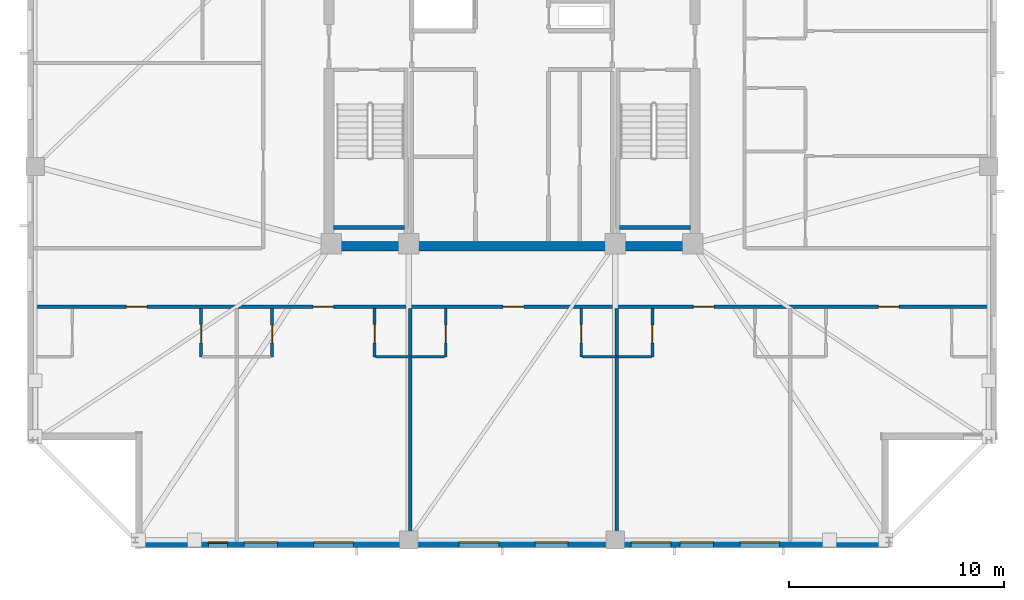
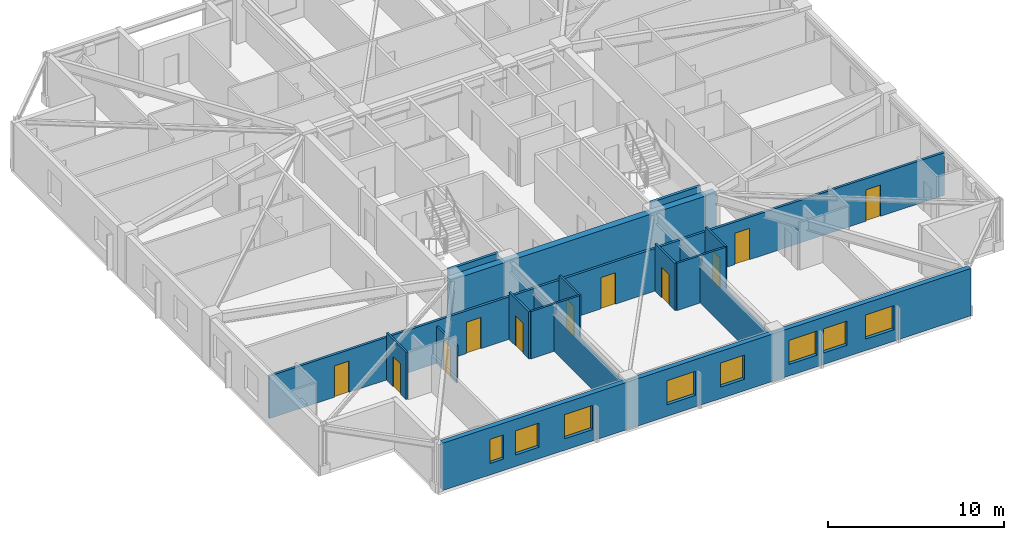
# One storey, part 7 of 17: 17 walls, 11 doors, 8 windows, 19 openings.
"""IFC4 building model written with IfcOpenShell, lengths in metres."""

from ifc_helpers import new_model, si_unit, direction, frame, frame_2d, origin, place, context, subcontext, project, spatial, rectangle, extrude, material, layer, layer_set, type_object, element, fill, save


model = new_model("IFC4")

# Units and contexts
model_context = context("Model", 3, precision=1e-05, world=origin(), true_north=direction((0.0, 1.0)))
body_context = subcontext(model_context, "Body", "Model", "MODEL_VIEW")
ifc_project = project(units=[si_unit("LENGTHUNIT", "METRE"), si_unit("AREAUNIT", "SQUARE_METRE"), si_unit("VOLUMEUNIT", "CUBIC_METRE"), si_unit("PLANEANGLEUNIT", "RADIAN"), si_unit("MASSUNIT", "GRAM", prefix="KILO")], contexts=[model_context])

# Site, building, storey
site_placement = place(None, origin())
site = spatial("IfcSite", under=ifc_project, at=site_placement, CompositionType="ELEMENT")
building_placement = place(site_placement, origin())
building = spatial("IfcBuilding", under=site, at=building_placement, Name="Cairnveth Concourse Tower", CompositionType="ELEMENT")
storey_placement = place(building_placement, frame((0.0, 0.0, 216.5)))
storey = spatial("IfcBuildingStorey", under=building, at=storey_placement, Name="L59", CompositionType="ELEMENT", Elevation=216.5)

# Wall, openings, doors
ifc_material_1 = material(Name="Gypsum Plasterboard Partition", Category="gypsum")
ifc_layer_1 = layer(ifc_material_1, 0.159912109375)
ifc_layer_set_1 = layer_set([ifc_layer_1], Name="Gypsum Plasterboard Partition")
wall_type_1 = type_object("IfcWallType", Name="ACOUSTIC PARTY WALL 180", PredefinedType="PARTITIONING", material=ifc_layer_set_1)
wall_1_placement = place(storey_placement, frame((29.804931640625, 27.68994140625, 0.0), z_axis=(0.0, 0.0, 1.0), x_axis=(1.0, 0.0, 0.0)))
wall_1 = element("IfcWall", 1, at=wall_1_placement, inside=storey, type_object=wall_type_1, Name="Interior Wall IW-L59-036", PredefinedType="PARTITIONING", context=body_context, shape_type="SweptSolid", body=[
    extrude(rectangle(XDim=44.39013671875, YDim=0.159912109375, at=frame_2d((22.195068359375, 0.0))), origin(), (0.0, 0.0, 1.0), 2.9580078125),
])
opening_1_placement = place(wall_1_placement, frame((4.278564453125, 0.0, 0.0)))
opening_1 = element("IfcOpeningElement", 2, at=opening_1_placement, cuts=wall_1, Name="Opening ID10", PredefinedType="OPENING", context=body_context, shape_type="SweptSolid", body=[
    extrude(rectangle(XDim=0.9599609375, YDim=2.179931640625, at=frame_2d((0.47998046875, 1.08984375))), frame((0.0, 0.08984375, 0.0), z_axis=(0.0, -1.0, 0.0), x_axis=(1.0, 0.0, 0.0)), (0.0, 0.0, 1.0), 0.179931640625),
])
opening_2_placement = place(wall_1_placement, frame((12.952880859375, 0.0, 0.0)))
opening_2 = element("IfcOpeningElement", 3, at=opening_2_placement, cuts=wall_1, Name="Opening ID10", PredefinedType="OPENING", context=body_context, shape_type="SweptSolid", body=[
    extrude(rectangle(XDim=0.9599609375, YDim=2.179931640625, at=frame_2d((0.47998046875, 1.08984375))), frame((0.0, 0.08984375, 0.0), z_axis=(0.0, -1.0, 0.0), x_axis=(1.0, 0.0, 0.0)), (0.0, 0.0, 1.0), 0.179931640625),
])
opening_3_placement = place(wall_1_placement, frame((21.784912109375, 0.0, 0.0)))
opening_3 = element("IfcOpeningElement", 4, at=opening_3_placement, cuts=wall_1, Name="Opening ID10", PredefinedType="OPENING", context=body_context, shape_type="SweptSolid", body=[
    extrude(rectangle(XDim=0.9599609375, YDim=2.179931640625, at=frame_2d((0.47998046875, 1.08984375))), frame((0.0, 0.08984375, 0.0), z_axis=(0.0, -1.0, 0.0), x_axis=(1.0, 0.0, 0.0)), (0.0, 0.0, 1.0), 0.179931640625),
])
opening_4_placement = place(wall_1_placement, frame((30.616943359375, 0.0, 0.0)))
opening_4 = element("IfcOpeningElement", 5, at=opening_4_placement, cuts=wall_1, Name="Opening ID10", PredefinedType="OPENING", context=body_context, shape_type="SweptSolid", body=[
    extrude(rectangle(XDim=0.9599609375, YDim=2.179931640625, at=frame_2d((0.47998046875, 1.08984375))), frame((0.0, 0.08984375, 0.0), z_axis=(0.0, -1.0, 0.0), x_axis=(1.0, 0.0, 0.0)), (0.0, 0.0, 1.0), 0.179931640625),
])
opening_5_placement = place(wall_1_placement, frame((39.221435546875, 0.0, 0.0)))
opening_5 = element("IfcOpeningElement", 6, at=opening_5_placement, cuts=wall_1, Name="Opening ID10", PredefinedType="OPENING", context=body_context, shape_type="SweptSolid", body=[
    extrude(rectangle(XDim=0.9599609375, YDim=2.179931640625, at=frame_2d((0.47998046875, 1.08984375))), frame((0.0, 0.08984375, 0.0), z_axis=(0.0, -1.0, 0.0), x_axis=(1.0, 0.0, 0.0)), (0.0, 0.0, 1.0), 0.179931640625),
])
ifc_material_2 = material(Name="Solid Core Hardwood Timber Leaf", Category="wood")
door_type_1 = type_object("IfcDoorType", Name="FLAT ENTRANCE DOOR 960X2150", OperationType="NOTDEFINED", PredefinedType="DOOR", material=ifc_material_2)
door_1_placement = place(opening_1_placement, origin())
door_1 = element("IfcDoor", 7, at=door_1_placement, inside=storey, type_object=door_type_1, Name="Studio L59STS1 Entrance Door", OperationType="SINGLE_SWING_LEFT", OverallHeight=2.179931640625, OverallWidth=0.9599609375, PredefinedType="DOOR", context=body_context, shape_type="SweptSolid", body=[
    extrude(rectangle(XDim=0.9599609375, YDim=2.179931640625, at=frame_2d((0.47998046875, 1.08984375))), frame((0.0, 0.02490234375, 0.0), z_axis=(0.0, -1.0, 0.0), x_axis=(1.0, 0.0, 0.0)), (0.0, 0.0, 1.0), 0.050048828125),
])
fill(opening_1, door_1)
door_2_placement = place(opening_2_placement, origin())
door_2 = element("IfcDoor", 8, at=door_2_placement, inside=storey, type_object=door_type_1, Name="Studio L59STS2 Entrance Door", OperationType="SINGLE_SWING_RIGHT", OverallHeight=2.179931640625, OverallWidth=0.9599609375, PredefinedType="DOOR", context=body_context, shape_type="SweptSolid", body=[
    extrude(rectangle(XDim=0.9599609375, YDim=2.179931640625, at=frame_2d((0.47998046875, 1.08984375))), frame((0.0, 0.02490234375, 0.0), z_axis=(0.0, -1.0, 0.0), x_axis=(1.0, 0.0, 0.0)), (0.0, 0.0, 1.0), 0.050048828125),
])
fill(opening_2, door_2)
door_3_placement = place(opening_3_placement, origin())
door_3 = element("IfcDoor", 9, at=door_3_placement, inside=storey, type_object=door_type_1, Name="Studio L59STS3 Entrance Door", OperationType="SINGLE_SWING_LEFT", OverallHeight=2.179931640625, OverallWidth=0.9599609375, PredefinedType="DOOR", context=body_context, shape_type="SweptSolid", body=[
    extrude(rectangle(XDim=0.9599609375, YDim=2.179931640625, at=frame_2d((0.47998046875, 1.08984375))), frame((0.0, 0.02490234375, 0.0), z_axis=(0.0, -1.0, 0.0), x_axis=(1.0, 0.0, 0.0)), (0.0, 0.0, 1.0), 0.050048828125),
])
fill(opening_3, door_3)
door_4_placement = place(opening_4_placement, origin())
door_4 = element("IfcDoor", 10, at=door_4_placement, inside=storey, type_object=door_type_1, Name="Studio L59STS4 Entrance Door", OperationType="SINGLE_SWING_RIGHT", OverallHeight=2.179931640625, OverallWidth=0.9599609375, PredefinedType="DOOR", context=body_context, shape_type="SweptSolid", body=[
    extrude(rectangle(XDim=0.9599609375, YDim=2.179931640625, at=frame_2d((0.47998046875, 1.08984375))), frame((0.0, 0.02490234375, 0.0), z_axis=(0.0, -1.0, 0.0), x_axis=(1.0, 0.0, 0.0)), (0.0, 0.0, 1.0), 0.050048828125),
])
fill(opening_4, door_4)
door_5_placement = place(opening_5_placement, origin())
door_5 = element("IfcDoor", 11, at=door_5_placement, inside=storey, type_object=door_type_1, Name="Studio L59STS5 Entrance Door", OperationType="SINGLE_SWING_LEFT", OverallHeight=2.179931640625, OverallWidth=0.9599609375, PredefinedType="DOOR", context=body_context, shape_type="SweptSolid", body=[
    extrude(rectangle(XDim=0.9599609375, YDim=2.179931640625, at=frame_2d((0.47998046875, 1.08984375))), frame((0.0, 0.02490234375, 0.0), z_axis=(0.0, -1.0, 0.0), x_axis=(1.0, 0.0, 0.0)), (0.0, 0.0, 1.0), 0.050048828125),
])
fill(opening_5, door_5)

# Walls
for number, where, z_axis, x_axis, name in (
    (12, (47.26904296875, 16.804931640625, 0.0), (0.0, 0.0, 1.0), (0.0, 1.0, 0.0), "Interior Wall IW-L59-053"),
    (13, (56.87109375, 16.804931640625, 0.0), (0.0, 0.0, 1.0), (0.0, 1.0, 0.0), "Interior Wall IW-L59-058"),
):
    element("IfcWall", number, at=place(storey_placement, frame(where, z_axis=z_axis, x_axis=x_axis)), inside=storey, type_object=wall_type_1, Name=name, PredefinedType="PARTITIONING", context=body_context, shape_type="SweptSolid", body=[
        extrude(rectangle(XDim=10.80517578125, YDim=0.159912109375, at=frame_2d((5.402587890625, 0.0))), origin(), (0.0, 0.0, 1.0), 2.572998046875),
    ])
ifc_material_3 = material(Name="Concrete N65 (65 MPa)", Category="concrete")
ifc_layer_2 = layer(ifc_material_3, 0.449951171875)
ifc_layer_set_2 = layer_set([ifc_layer_2], Name="Concrete N65 (65 MPa)")
wall_type_2 = type_object("IfcWallType", Name="CORE SHEAR WALL 450", PredefinedType="SHEAR", material=ifc_layer_set_2)
wall_2_placement = place(storey_placement, frame((43.27490234375, 30.5, 0.0), z_axis=(0.0, 0.0, 1.0), x_axis=(1.0, 0.0, 0.0)))
element("IfcWall", 14, at=wall_2_placement, inside=storey, type_object=wall_type_2, Name="Core South Shear Wall L59", PredefinedType="SHEAR", context=body_context, shape_type="SweptSolid", body=[
    extrude(rectangle(XDim=17.4501953125, YDim=0.449951171875, at=frame_2d((8.72509765625, 0.0))), origin(), (0.0, 0.0, 1.0), 3.2900390625),
])
ifc_material_4 = material(Name="Concrete N50 (50 MPa)", Category="concrete")
ifc_layer_3 = layer(ifc_material_4, 0.179931640625)
ifc_layer_set_3 = layer_set([ifc_layer_3], Name="Concrete N50 (50 MPa)")
wall_type_3 = type_object("IfcWallType", Name="FIRE SHAFT WALL 180", PredefinedType="SOLIDWALL", material=ifc_layer_set_3)
for number, where, z_axis, x_axis, name in (
    (15, (43.715087890625, 31.360107421875, 0.0), (0.0, 0.0, 1.0), (1.0, 0.0, 0.0), "Stair ST-1 Shaft Wall FAR L59"),
    (16, (57.0048828125, 31.360107421875, 0.0), (0.0, 0.0, 1.0), (1.0, 0.0, 0.0), "Stair ST-2 Shaft Wall FAR L59"),
):
    element("IfcWall", number, at=place(storey_placement, frame(where, z_axis=z_axis, x_axis=x_axis)), inside=storey, type_object=wall_type_3, Name=name, PredefinedType="SOLIDWALL", context=body_context, shape_type="SweptSolid", body=[
        extrude(rectangle(XDim=3.280029296875, YDim=0.179931640625, at=frame_2d((1.64013671875, 0.0))), origin(), (0.0, 0.0, 1.0), 3.2900390625),
    ])

# Wall, opening, door
ifc_layer_4 = layer(ifc_material_1, 0.1298828125)
ifc_layer_set_4 = layer_set([ifc_layer_4], Name="Gypsum Plasterboard Partition")
wall_type_4 = type_object("IfcWallType", Name="WET AREA PARTITION 140", PredefinedType="PLUMBINGWALL", material=ifc_layer_set_4)
wall_3_placement = place(storey_placement, frame((37.556884765625, 25.360107421875, 0.0), z_axis=(0.0, 0.0, 1.0), x_axis=(0.0, 1.0, 0.0)))
wall_3 = element("IfcWall", 17, at=wall_3_placement, inside=storey, type_object=wall_type_4, Name="Interior Wall IW-L59-046", PredefinedType="PLUMBINGWALL", context=body_context, shape_type="SweptSolid", body=[
    extrude(rectangle(XDim=2.25, YDim=0.1298828125, at=frame_2d((1.125, 0.0))), origin(), (0.0, 0.0, 1.0), 3.2900390625),
])
opening_6_placement = place(wall_3_placement, frame((0.64990234375, 0.0, 0.0)))
opening_6 = element("IfcOpeningElement", 18, at=opening_6_placement, cuts=wall_3, Name="Opening ID20", PredefinedType="OPENING", context=body_context, shape_type="SweptSolid", body=[
    extrude(rectangle(XDim=0.85009765625, YDim=2.10009765625, at=frame_2d((0.425048828125, 1.050048828125))), frame((0.0, 0.074951171875, 0.0), z_axis=(0.0, -1.0, 0.0), x_axis=(1.0, 0.0, 0.0)), (0.0, 0.0, 1.0), 0.14990234375),
])
door_type_2 = type_object("IfcDoorType", Name="INTERIOR SINGLE DOOR 850X2100", OperationType="NOTDEFINED", PredefinedType="DOOR", material=ifc_material_2)
door_6_placement = place(opening_6_placement, origin())
door_6 = element("IfcDoor", 19, at=door_6_placement, inside=storey, type_object=door_type_2, Name="L59STS1 Kitchen Door", OperationType="SINGLE_SWING_RIGHT", OverallHeight=2.10009765625, OverallWidth=0.85009765625, PredefinedType="DOOR", context=body_context, shape_type="SweptSolid", body=[
    extrude(rectangle(XDim=0.85009765625, YDim=2.10009765625, at=frame_2d((0.425048828125, 1.050048828125))), frame((0.0, 0.02490234375, 0.0), z_axis=(0.0, -1.0, 0.0), x_axis=(1.0, 0.0, 0.0)), (0.0, 0.0, 1.0), 0.050048828125),
])
fill(opening_6, door_6)

wall_4_placement = place(storey_placement, frame((40.85693359375, 25.360107421875, 0.0), z_axis=(0.0, 0.0, 1.0), x_axis=(0.0, 1.0, 0.0)))
wall_4 = element("IfcWall", 20, at=wall_4_placement, inside=storey, type_object=wall_type_4, Name="Interior Wall IW-L59-049", PredefinedType="PLUMBINGWALL", context=body_context, shape_type="SweptSolid", body=[
    extrude(rectangle(XDim=2.25, YDim=0.1298828125, at=frame_2d((1.125, 0.0))), origin(), (0.0, 0.0, 1.0), 2.572998046875),
])
opening_7_placement = place(wall_4_placement, frame((0.64990234375, 0.0, 0.0)))
opening_7 = element("IfcOpeningElement", 21, at=opening_7_placement, cuts=wall_4, Name="Opening ID22", PredefinedType="OPENING", context=body_context, shape_type="SweptSolid", body=[
    extrude(rectangle(XDim=0.820068359375, YDim=2.10009765625, at=frame_2d((0.41015625, 1.050048828125))), frame((0.0, 0.074951171875, 0.0), z_axis=(0.0, -1.0, 0.0), x_axis=(1.0, 0.0, 0.0)), (0.0, 0.0, 1.0), 0.14990234375),
])
door_type_3 = type_object("IfcDoorType", Name="INTERIOR WC DOOR 820X2100", OperationType="NOTDEFINED", PredefinedType="DOOR", material=ifc_material_2)
door_7_placement = place(opening_7_placement, origin())
door_7 = element("IfcDoor", 22, at=door_7_placement, inside=storey, type_object=door_type_3, Name="L59STS2 Bathroom Door", OperationType="SINGLE_SWING_RIGHT", OverallHeight=2.10009765625, OverallWidth=0.820068359375, PredefinedType="DOOR", context=body_context, shape_type="SweptSolid", body=[
    extrude(rectangle(XDim=0.820068359375, YDim=2.10009765625, at=frame_2d((0.41015625, 1.050048828125))), frame((0.0, 0.02490234375, 0.0), z_axis=(0.0, -1.0, 0.0), x_axis=(1.0, 0.0, 0.0)), (0.0, 0.0, 1.0), 0.050048828125),
])
fill(opening_7, door_7)

wall_5_placement = place(storey_placement, frame((45.618896484375, 25.360107421875, 0.0), z_axis=(0.0, 0.0, 1.0), x_axis=(0.0, 1.0, 0.0)))
wall_5 = element("IfcWall", 23, at=wall_5_placement, inside=storey, type_object=wall_type_4, Name="Interior Wall IW-L59-051", PredefinedType="PLUMBINGWALL", context=body_context, shape_type="SweptSolid", body=[
    extrude(rectangle(XDim=2.25, YDim=0.1298828125, at=frame_2d((1.125, 0.0))), origin(), (0.0, 0.0, 1.0), 3.2900390625),
])
opening_8_placement = place(wall_5_placement, frame((0.64990234375, 0.0, 0.0)))
opening_8 = element("IfcOpeningElement", 24, at=opening_8_placement, cuts=wall_5, Name="Opening ID20", PredefinedType="OPENING", context=body_context, shape_type="SweptSolid", body=[
    extrude(rectangle(XDim=0.85009765625, YDim=2.10009765625, at=frame_2d((0.425048828125, 1.050048828125))), frame((0.0, 0.074951171875, 0.0), z_axis=(0.0, -1.0, 0.0), x_axis=(1.0, 0.0, 0.0)), (0.0, 0.0, 1.0), 0.14990234375),
])
door_8_placement = place(opening_8_placement, origin())
door_8 = element("IfcDoor", 25, at=door_8_placement, inside=storey, type_object=door_type_2, Name="L59STS2 Kitchen Door", OperationType="SINGLE_SWING_LEFT", OverallHeight=2.10009765625, OverallWidth=0.85009765625, PredefinedType="DOOR", context=body_context, shape_type="SweptSolid", body=[
    extrude(rectangle(XDim=0.85009765625, YDim=2.10009765625, at=frame_2d((0.425048828125, 1.050048828125))), frame((0.0, 0.02490234375, 0.0), z_axis=(0.0, -1.0, 0.0), x_axis=(1.0, 0.0, 0.0)), (0.0, 0.0, 1.0), 0.050048828125),
])
fill(opening_8, door_8)

# Wall
wall_6_placement = place(storey_placement, frame((45.6689453125, 25.360107421875, 0.0), z_axis=(0.0, 0.0, 1.0), x_axis=(1.0, 0.0, 0.0)))
element("IfcWall", 26, at=wall_6_placement, inside=storey, type_object=wall_type_4, Name="Interior Wall IW-L59-052", PredefinedType="PLUMBINGWALL", context=body_context, shape_type="SweptSolid", body=[
    extrude(rectangle(XDim=1.60009765625, YDim=0.1298828125, at=frame_2d((0.800048828125, 0.0))), origin(), (0.0, 0.0, 1.0), 3.2900390625),
])

# Wall, opening, door
wall_7_placement = place(storey_placement, frame((48.9189453125, 25.360107421875, 0.0), z_axis=(0.0, 0.0, 1.0), x_axis=(0.0, 1.0, 0.0)))
wall_7 = element("IfcWall", 27, at=wall_7_placement, inside=storey, type_object=wall_type_4, Name="Interior Wall IW-L59-054", PredefinedType="PLUMBINGWALL", context=body_context, shape_type="SweptSolid", body=[
    extrude(rectangle(XDim=2.25, YDim=0.1298828125, at=frame_2d((1.125, 0.0))), origin(), (0.0, 0.0, 1.0), 3.2900390625),
])
opening_9_placement = place(wall_7_placement, frame((0.64990234375, 0.0, 0.0)))
opening_9 = element("IfcOpeningElement", 28, at=opening_9_placement, cuts=wall_7, Name="Opening ID22", PredefinedType="OPENING", context=body_context, shape_type="SweptSolid", body=[
    extrude(rectangle(XDim=0.820068359375, YDim=2.10009765625, at=frame_2d((0.41015625, 1.050048828125))), frame((0.0, 0.074951171875, 0.0), z_axis=(0.0, -1.0, 0.0), x_axis=(1.0, 0.0, 0.0)), (0.0, 0.0, 1.0), 0.14990234375),
])
door_9_placement = place(opening_9_placement, origin())
door_9 = element("IfcDoor", 29, at=door_9_placement, inside=storey, type_object=door_type_3, Name="L59STS3 Bathroom Door", OperationType="SINGLE_SWING_LEFT", OverallHeight=2.10009765625, OverallWidth=0.820068359375, PredefinedType="DOOR", context=body_context, shape_type="SweptSolid", body=[
    extrude(rectangle(XDim=0.820068359375, YDim=2.10009765625, at=frame_2d((0.41015625, 1.050048828125))), frame((0.0, 0.02490234375, 0.0), z_axis=(0.0, -1.0, 0.0), x_axis=(1.0, 0.0, 0.0)), (0.0, 0.0, 1.0), 0.050048828125),
])
fill(opening_9, door_9)

# Wall
wall_8_placement = place(storey_placement, frame((47.333984375, 25.360107421875, 0.0), z_axis=(0.0, 0.0, 1.0), x_axis=(1.0, 0.0, 0.0)))
element("IfcWall", 30, at=wall_8_placement, inside=storey, type_object=wall_type_4, Name="Interior Wall IW-L59-055", PredefinedType="PLUMBINGWALL", context=body_context, shape_type="SweptSolid", body=[
    extrude(rectangle(XDim=1.534912109375, YDim=0.1298828125, at=frame_2d((0.767578125, 0.0))), origin(), (0.0, 0.0, 1.0), 3.2900390625),
])

# Wall, opening, door
wall_9_placement = place(storey_placement, frame((55.220947265625, 25.360107421875, 0.0), z_axis=(0.0, 0.0, 1.0), x_axis=(0.0, 1.0, 0.0)))
wall_9 = element("IfcWall", 31, at=wall_9_placement, inside=storey, type_object=wall_type_4, Name="Interior Wall IW-L59-056", PredefinedType="PLUMBINGWALL", context=body_context, shape_type="SweptSolid", body=[
    extrude(rectangle(XDim=2.25, YDim=0.1298828125, at=frame_2d((1.125, 0.0))), origin(), (0.0, 0.0, 1.0), 3.2900390625),
])
opening_10_placement = place(wall_9_placement, frame((0.64990234375, 0.0, 0.0)))
opening_10 = element("IfcOpeningElement", 32, at=opening_10_placement, cuts=wall_9, Name="Opening ID20", PredefinedType="OPENING", context=body_context, shape_type="SweptSolid", body=[
    extrude(rectangle(XDim=0.85009765625, YDim=2.10009765625, at=frame_2d((0.425048828125, 1.050048828125))), frame((0.0, 0.074951171875, 0.0), z_axis=(0.0, -1.0, 0.0), x_axis=(1.0, 0.0, 0.0)), (0.0, 0.0, 1.0), 0.14990234375),
])
door_10_placement = place(opening_10_placement, origin())
door_10 = element("IfcDoor", 33, at=door_10_placement, inside=storey, type_object=door_type_2, Name="L59STS3 Kitchen Door", OperationType="SINGLE_SWING_RIGHT", OverallHeight=2.10009765625, OverallWidth=0.85009765625, PredefinedType="DOOR", context=body_context, shape_type="SweptSolid", body=[
    extrude(rectangle(XDim=0.85009765625, YDim=2.10009765625, at=frame_2d((0.425048828125, 1.050048828125))), frame((0.0, 0.02490234375, 0.0), z_axis=(0.0, -1.0, 0.0), x_axis=(1.0, 0.0, 0.0)), (0.0, 0.0, 1.0), 0.050048828125),
])
fill(opening_10, door_10)

# Wall
wall_10_placement = place(storey_placement, frame((55.27099609375, 25.360107421875, 0.0), z_axis=(0.0, 0.0, 1.0), x_axis=(1.0, 0.0, 0.0)))
element("IfcWall", 34, at=wall_10_placement, inside=storey, type_object=wall_type_4, Name="Interior Wall IW-L59-057", PredefinedType="PLUMBINGWALL", context=body_context, shape_type="SweptSolid", body=[
    extrude(rectangle(XDim=1.60009765625, YDim=0.1298828125, at=frame_2d((0.800048828125, 0.0))), origin(), (0.0, 0.0, 1.0), 3.2900390625),
])

# Wall, opening, door
wall_11_placement = place(storey_placement, frame((58.52099609375, 25.360107421875, 0.0), z_axis=(0.0, 0.0, 1.0), x_axis=(0.0, 1.0, 0.0)))
wall_11 = element("IfcWall", 35, at=wall_11_placement, inside=storey, type_object=wall_type_4, Name="Interior Wall IW-L59-059", PredefinedType="PLUMBINGWALL", context=body_context, shape_type="SweptSolid", body=[
    extrude(rectangle(XDim=2.25, YDim=0.1298828125, at=frame_2d((1.125, 0.0))), origin(), (0.0, 0.0, 1.0), 3.2900390625),
])
opening_11_placement = place(wall_11_placement, frame((0.64990234375, 0.0, 0.0)))
opening_11 = element("IfcOpeningElement", 36, at=opening_11_placement, cuts=wall_11, Name="Opening ID22", PredefinedType="OPENING", context=body_context, shape_type="SweptSolid", body=[
    extrude(rectangle(XDim=0.820068359375, YDim=2.10009765625, at=frame_2d((0.41015625, 1.050048828125))), frame((0.0, 0.074951171875, 0.0), z_axis=(0.0, -1.0, 0.0), x_axis=(1.0, 0.0, 0.0)), (0.0, 0.0, 1.0), 0.14990234375),
])
door_11_placement = place(opening_11_placement, origin())
door_11 = element("IfcDoor", 37, at=door_11_placement, inside=storey, type_object=door_type_3, Name="L59STS4 Bathroom Door", OperationType="SINGLE_SWING_RIGHT", OverallHeight=2.10009765625, OverallWidth=0.820068359375, PredefinedType="DOOR", context=body_context, shape_type="SweptSolid", body=[
    extrude(rectangle(XDim=0.820068359375, YDim=2.10009765625, at=frame_2d((0.41015625, 1.050048828125))), frame((0.0, 0.02490234375, 0.0), z_axis=(0.0, -1.0, 0.0), x_axis=(1.0, 0.0, 0.0)), (0.0, 0.0, 1.0), 0.050048828125),
])
fill(opening_11, door_11)

# Wall
wall_12_placement = place(storey_placement, frame((56.93603515625, 25.360107421875, 0.0), z_axis=(0.0, 0.0, 1.0), x_axis=(1.0, 0.0, 0.0)))
element("IfcWall", 38, at=wall_12_placement, inside=storey, type_object=wall_type_4, Name="Interior Wall IW-L59-060", PredefinedType="PLUMBINGWALL", context=body_context, shape_type="SweptSolid", body=[
    extrude(rectangle(XDim=1.534912109375, YDim=0.1298828125, at=frame_2d((0.767578125, 0.0))), origin(), (0.0, 0.0, 1.0), 3.2900390625),
])

# Wall, openings, windows
ifc_material_5 = material(Name="Melbourne Buff Fired Clay Brick Masonry", Category="masonry")
ifc_layer_5 = layer(ifc_material_5, 0.320068359375)
ifc_layer_set_5 = layer_set([ifc_layer_5], Name="Melbourne Buff Fired Clay Brick Masonry")
wall_type_5 = type_object("IfcWallType", Name="ZONE 3 BRICK PIER SPANDREL WALL 320", PredefinedType="SOLIDWALL", material=ifc_layer_set_5)
wall_13_placement = place(storey_placement, frame((69.5, 16.659912109375, 0.0), z_axis=(0.0, 0.0, 1.0), x_axis=(-1.0, 0.0, 0.0)))
wall_13 = element("IfcWall", 39, at=wall_13_placement, inside=storey, type_object=wall_type_5, Name="Exterior Wall EW-L59-S06", PredefinedType="SOLIDWALL", context=body_context, shape_type="SweptSolid", body=[
    extrude(rectangle(XDim=34.701904296875, YDim=0.320068359375, at=frame_2d((17.35107421875, 0.0))), origin(), (0.0, 0.0, 1.0), 3.2900390625),
])
opening_12_placement = place(wall_13_placement, frame((5.0625, 0.0, 0.800048828125)))
opening_12 = element("IfcOpeningElement", 40, at=opening_12_placement, cuts=wall_13, Name="Opening W08", PredefinedType="OPENING", context=body_context, shape_type="SweptSolid", body=[
    extrude(rectangle(XDim=1.85009765625, YDim=1.677978515625, at=frame_2d((0.925048828125, 0.8388671875))), frame((0.0, 0.169921875, 0.0), z_axis=(0.0, -1.0, 0.0), x_axis=(1.0, 0.0, 0.0)), (0.0, 0.0, 1.0), 0.340087890625),
])
opening_13_placement = place(wall_13_placement, frame((8.137939453125, 0.0, 0.800048828125)))
opening_13 = element("IfcOpeningElement", 41, at=opening_13_placement, cuts=wall_13, Name="Opening W07", PredefinedType="OPENING", context=body_context, shape_type="SweptSolid", body=[
    extrude(rectangle(XDim=1.550048828125, YDim=1.677978515625, at=frame_2d((0.77490234375, 0.8388671875))), frame((0.0, 0.169921875, 0.0), z_axis=(0.0, -1.0, 0.0), x_axis=(1.0, 0.0, 0.0)), (0.0, 0.0, 1.0), 0.340087890625),
])
opening_14_placement = place(wall_13_placement, frame((10.113037109375, 0.0, 0.800048828125)))
opening_14 = element("IfcOpeningElement", 42, at=opening_14_placement, cuts=wall_13, Name="Opening W08", PredefinedType="OPENING", context=body_context, shape_type="SweptSolid", body=[
    extrude(rectangle(XDim=1.85009765625, YDim=1.677978515625, at=frame_2d((0.925048828125, 0.8388671875))), frame((0.0, 0.169921875, 0.0), z_axis=(0.0, -1.0, 0.0), x_axis=(1.0, 0.0, 0.0)), (0.0, 0.0, 1.0), 0.340087890625),
])
opening_15_placement = place(wall_13_placement, frame((14.888427734375, 0.0, 0.800048828125)))
opening_15 = element("IfcOpeningElement", 43, at=opening_15_placement, cuts=wall_13, Name="Opening W07", PredefinedType="OPENING", context=body_context, shape_type="SweptSolid", body=[
    extrude(rectangle(XDim=1.550048828125, YDim=1.677978515625, at=frame_2d((0.77490234375, 0.8388671875))), frame((0.0, 0.169921875, 0.0), z_axis=(0.0, -1.0, 0.0), x_axis=(1.0, 0.0, 0.0)), (0.0, 0.0, 1.0), 0.340087890625),
])
opening_16_placement = place(wall_13_placement, frame((18.113525390625, 0.0, 0.800048828125)))
opening_16 = element("IfcOpeningElement", 44, at=opening_16_placement, cuts=wall_13, Name="Opening W08", PredefinedType="OPENING", context=body_context, shape_type="SweptSolid", body=[
    extrude(rectangle(XDim=1.85009765625, YDim=1.677978515625, at=frame_2d((0.925048828125, 0.8388671875))), frame((0.0, 0.169921875, 0.0), z_axis=(0.0, -1.0, 0.0), x_axis=(1.0, 0.0, 0.0)), (0.0, 0.0, 1.0), 0.340087890625),
])
opening_17_placement = place(wall_13_placement, frame((24.864013671875, 0.0, 0.800048828125)))
opening_17 = element("IfcOpeningElement", 45, at=opening_17_placement, cuts=wall_13, Name="Opening W08", PredefinedType="OPENING", context=body_context, shape_type="SweptSolid", body=[
    extrude(rectangle(XDim=1.85009765625, YDim=1.677978515625, at=frame_2d((0.925048828125, 0.8388671875))), frame((0.0, 0.169921875, 0.0), z_axis=(0.0, -1.0, 0.0), x_axis=(1.0, 0.0, 0.0)), (0.0, 0.0, 1.0), 0.340087890625),
])
opening_18_placement = place(wall_13_placement, frame((28.389404296875, 0.0, 0.800048828125)))
opening_18 = element("IfcOpeningElement", 46, at=opening_18_placement, cuts=wall_13, Name="Opening W07", PredefinedType="OPENING", context=body_context, shape_type="SweptSolid", body=[
    extrude(rectangle(XDim=1.550048828125, YDim=1.677978515625, at=frame_2d((0.77490234375, 0.8388671875))), frame((0.0, 0.169921875, 0.0), z_axis=(0.0, -1.0, 0.0), x_axis=(1.0, 0.0, 0.0)), (0.0, 0.0, 1.0), 0.340087890625),
])
opening_19_placement = place(wall_13_placement, frame((30.7099609375, 0.0, 0.800048828125)))
opening_19 = element("IfcOpeningElement", 47, at=opening_19_placement, cuts=wall_13, Name="Opening W13", PredefinedType="OPENING", context=body_context, shape_type="SweptSolid", body=[
    extrude(rectangle(XDim=0.89990234375, YDim=1.677978515625, at=frame_2d((0.449951171875, 0.8388671875))), frame((0.0, 0.169921875, 0.0), z_axis=(0.0, -1.0, 0.0), x_axis=(1.0, 0.0, 0.0)), (0.0, 0.0, 1.0), 0.340087890625),
])
ifc_material_6 = material(Name="Double Glazed Low-E Clear Glass", Category="glass")
window_type_1 = type_object("IfcWindowType", Name="DEEP-SET APARTMENT LIVING WINDOW 1850X1850", PartitioningType="DOUBLE_PANEL_VERTICAL", PredefinedType="WINDOW", material=ifc_material_6)
window_1_placement = place(opening_12_placement, origin())
window_1 = element("IfcWindow", 48, at=window_1_placement, inside=storey, type_object=window_type_1, Name="Gothic Lancet Window L59-6-1", OverallHeight=1.677978515625, OverallWidth=1.85009765625, PartitioningType="SINGLE_PANEL", PredefinedType="WINDOW", context=body_context, shape_type="SweptSolid", body=[
    extrude(rectangle(XDim=1.85009765625, YDim=1.677978515625, at=frame_2d((0.925048828125, 0.8388671875))), frame((0.0, -0.050048828125, 0.0), z_axis=(0.0, -1.0, 0.0), x_axis=(1.0, 0.0, 0.0)), (0.0, 0.0, 1.0), 0.06005859375),
])
fill(opening_12, window_1)
window_2_placement = place(opening_14_placement, origin())
window_2 = element("IfcWindow", 49, at=window_2_placement, inside=storey, type_object=window_type_1, Name="Gothic Lancet Window L59-6-3", OverallHeight=1.677978515625, OverallWidth=1.85009765625, PartitioningType="SINGLE_PANEL", PredefinedType="WINDOW", context=body_context, shape_type="SweptSolid", body=[
    extrude(rectangle(XDim=1.85009765625, YDim=1.677978515625, at=frame_2d((0.925048828125, 0.8388671875))), frame((0.0, -0.050048828125, 0.0), z_axis=(0.0, -1.0, 0.0), x_axis=(1.0, 0.0, 0.0)), (0.0, 0.0, 1.0), 0.06005859375),
])
fill(opening_14, window_2)
window_3_placement = place(opening_16_placement, origin())
window_3 = element("IfcWindow", 50, at=window_3_placement, inside=storey, type_object=window_type_1, Name="Gothic Lancet Window L59-6-5", OverallHeight=1.677978515625, OverallWidth=1.85009765625, PartitioningType="SINGLE_PANEL", PredefinedType="WINDOW", context=body_context, shape_type="SweptSolid", body=[
    extrude(rectangle(XDim=1.85009765625, YDim=1.677978515625, at=frame_2d((0.925048828125, 0.8388671875))), frame((0.0, -0.050048828125, 0.0), z_axis=(0.0, -1.0, 0.0), x_axis=(1.0, 0.0, 0.0)), (0.0, 0.0, 1.0), 0.06005859375),
])
fill(opening_16, window_3)
window_4_placement = place(opening_17_placement, origin())
window_4 = element("IfcWindow", 51, at=window_4_placement, inside=storey, type_object=window_type_1, Name="Gothic Lancet Window L59-6-7", OverallHeight=1.677978515625, OverallWidth=1.85009765625, PartitioningType="SINGLE_PANEL", PredefinedType="WINDOW", context=body_context, shape_type="SweptSolid", body=[
    extrude(rectangle(XDim=1.85009765625, YDim=1.677978515625, at=frame_2d((0.925048828125, 0.8388671875))), frame((0.0, -0.050048828125, 0.0), z_axis=(0.0, -1.0, 0.0), x_axis=(1.0, 0.0, 0.0)), (0.0, 0.0, 1.0), 0.06005859375),
])
fill(opening_17, window_4)
window_type_2 = type_object("IfcWindowType", Name="DEEP-SET APARTMENT WINDOW 1550X1800", PartitioningType="DOUBLE_PANEL_VERTICAL", PredefinedType="WINDOW", material=ifc_material_6)
window_5_placement = place(opening_13_placement, origin())
window_5 = element("IfcWindow", 52, at=window_5_placement, inside=storey, type_object=window_type_2, Name="Gothic Lancet Window L59-6-2", OverallHeight=1.677978515625, OverallWidth=1.550048828125, PartitioningType="SINGLE_PANEL", PredefinedType="WINDOW", context=body_context, shape_type="SweptSolid", body=[
    extrude(rectangle(XDim=1.550048828125, YDim=1.677978515625, at=frame_2d((0.77490234375, 0.8388671875))), frame((0.0, -0.050048828125, 0.0), z_axis=(0.0, -1.0, 0.0), x_axis=(1.0, 0.0, 0.0)), (0.0, 0.0, 1.0), 0.06005859375),
])
fill(opening_13, window_5)
window_6_placement = place(opening_15_placement, origin())
window_6 = element("IfcWindow", 53, at=window_6_placement, inside=storey, type_object=window_type_2, Name="Gothic Lancet Window L59-6-4", OverallHeight=1.677978515625, OverallWidth=1.550048828125, PartitioningType="SINGLE_PANEL", PredefinedType="WINDOW", context=body_context, shape_type="SweptSolid", body=[
    extrude(rectangle(XDim=1.550048828125, YDim=1.677978515625, at=frame_2d((0.77490234375, 0.8388671875))), frame((0.0, -0.050048828125, 0.0), z_axis=(0.0, -1.0, 0.0), x_axis=(1.0, 0.0, 0.0)), (0.0, 0.0, 1.0), 0.06005859375),
])
fill(opening_15, window_6)
window_7_placement = place(opening_18_placement, origin())
window_7 = element("IfcWindow", 54, at=window_7_placement, inside=storey, type_object=window_type_2, Name="Gothic Lancet Window L59-6-8", OverallHeight=1.677978515625, OverallWidth=1.550048828125, PartitioningType="SINGLE_PANEL", PredefinedType="WINDOW", context=body_context, shape_type="SweptSolid", body=[
    extrude(rectangle(XDim=1.550048828125, YDim=1.677978515625, at=frame_2d((0.77490234375, 0.8388671875))), frame((0.0, -0.050048828125, 0.0), z_axis=(0.0, -1.0, 0.0), x_axis=(1.0, 0.0, 0.0)), (0.0, 0.0, 1.0), 0.06005859375),
])
fill(opening_18, window_7)
window_type_3 = type_object("IfcWindowType", Name="DEEP-SET BEDROOM LANCET WINDOW 900X1750", PartitioningType="DOUBLE_PANEL_VERTICAL", PredefinedType="WINDOW", material=ifc_material_6)
window_8_placement = place(opening_19_placement, origin())
window_8 = element("IfcWindow", 55, at=window_8_placement, inside=storey, type_object=window_type_3, Name="Dwelling Lancet Window L59-DW1", OverallHeight=1.677978515625, OverallWidth=0.89990234375, PartitioningType="SINGLE_PANEL", PredefinedType="WINDOW", context=body_context, shape_type="SweptSolid", body=[
    extrude(rectangle(XDim=0.89990234375, YDim=1.677978515625, at=frame_2d((0.449951171875, 0.8388671875))), frame((0.0, -0.0400390625, 0.0), z_axis=(0.0, -1.0, 0.0), x_axis=(1.0, 0.0, 0.0)), (0.0, 0.0, 1.0), 0.06005859375),
])
fill(opening_19, window_8)

save(model, "model.ifc")
